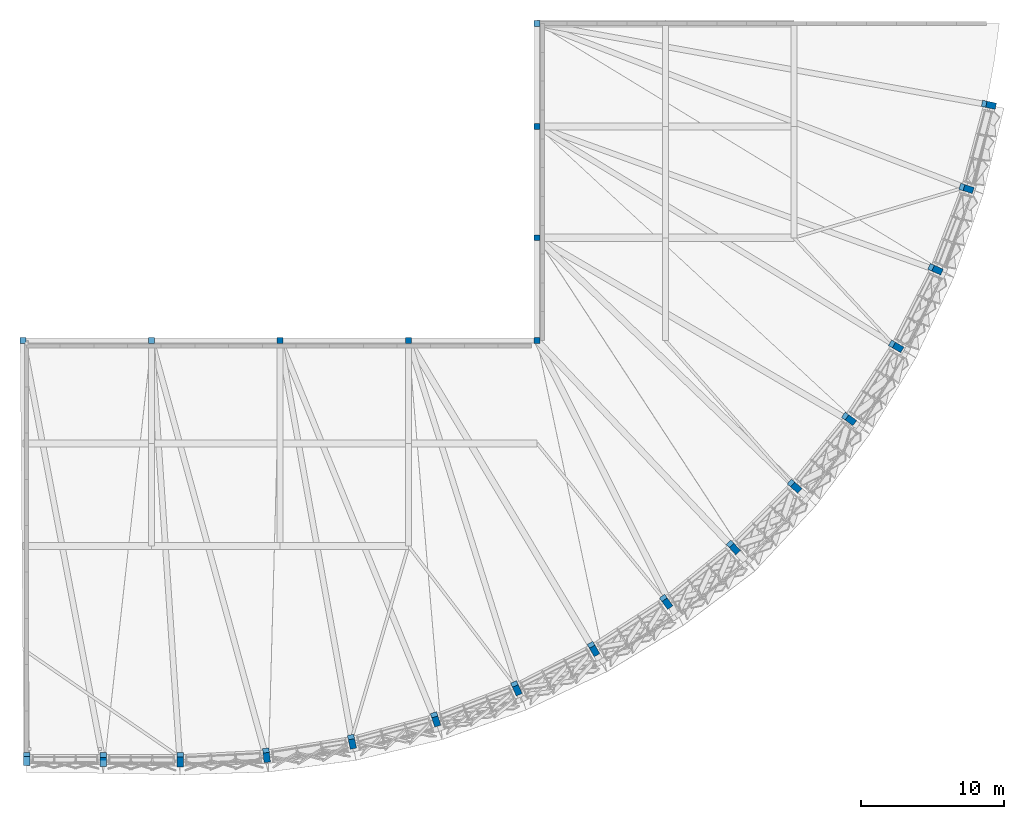
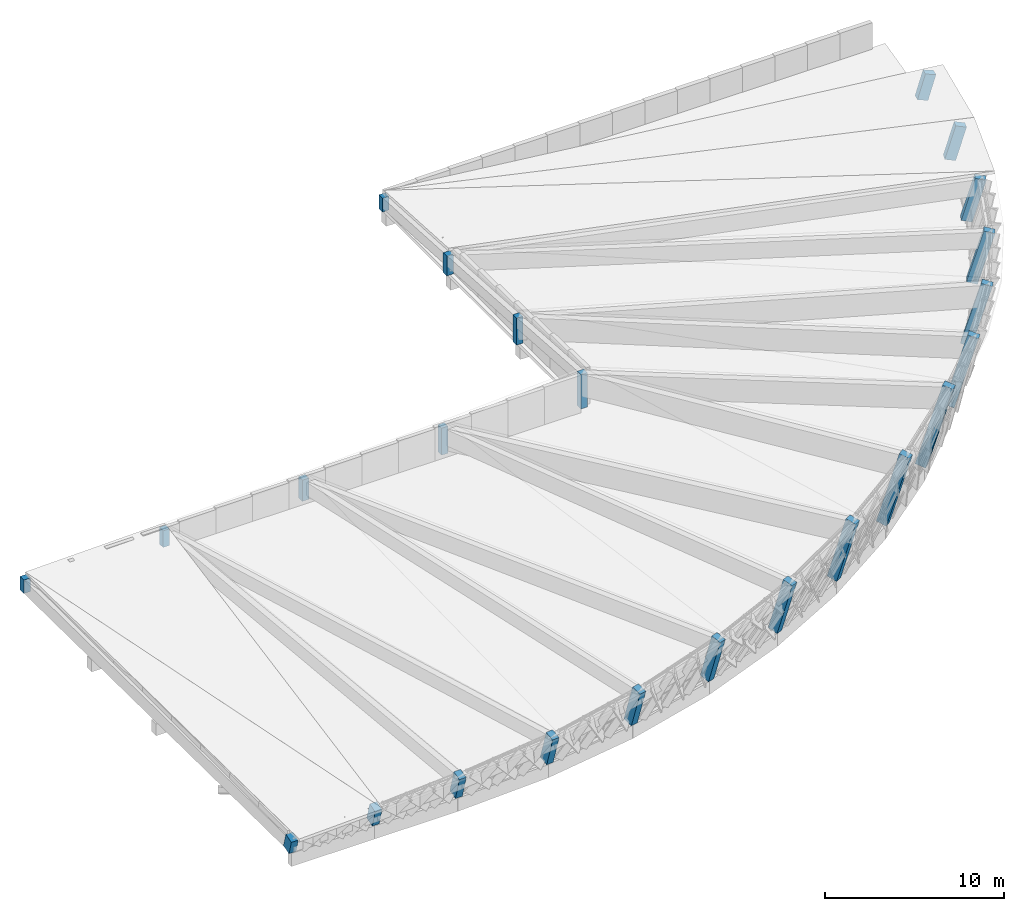
# One storey, part 1 of 11: 24 columns.
"""IFC4 building model written with IfcOpenShell, lengths in metres."""

from ifc_helpers import new_model, si_unit, direction, frame, origin, origin_2d, place, context, subcontext, project, spatial, rectangle, extrude, material, material_profile, profile_set, type_object, element, save


model = new_model("IFC4")

# Units and contexts
model_context = context("Model", 3, precision=1e-05, world=origin(), true_north=direction((0.0, 1.0)))
body_context = subcontext(model_context, "Body", "Model", "MODEL_VIEW")
ifc_project = project(units=[si_unit("LENGTHUNIT", "METRE"), si_unit("AREAUNIT", "SQUARE_METRE"), si_unit("VOLUMEUNIT", "CUBIC_METRE"), si_unit("PLANEANGLEUNIT", "RADIAN"), si_unit("MASSUNIT", "GRAM", prefix="KILO")], contexts=[model_context])

# Site, building, storey
site_placement = place(None, origin())
site = spatial("IfcSite", under=ifc_project, at=site_placement, CompositionType="ELEMENT")
building_placement = place(site_placement, origin())
building = spatial("IfcBuilding", under=site, at=building_placement, Name="Chiffa Square Polytechnic", CompositionType="ELEMENT")
storey_placement = place(building_placement, frame((0.0, 0.0, 30.60009765625)))
storey = spatial("IfcBuildingStorey", under=building, at=storey_placement, Name="ROOF", CompositionType="ELEMENT", Elevation=30.60009765625)

# Columns
ifc_material = material(Name="Glulam GL32c", Category="wood")
ifc_material_profile_1 = material_profile(ifc_material, rectangle(XDim=0.419921875, YDim=0.419921875, at=origin_2d()), Name="GL32c 420x420")
ifc_profile_set_1 = profile_set([ifc_material_profile_1], Name="Glulam GL32c")
column_type_1 = type_object("IfcColumnType", Name="COL-GL-420", PredefinedType="COLUMN", material=ifc_profile_set_1)
column_1_placement = place(storey_placement, frame((112.199951171875, 28.800048828125, -0.75), z_axis=(0.0, 0.0, 1.0), x_axis=(1.0, 0.0, 0.0)))
element("IfcColumn", 1, at=column_1_placement, inside=storey, type_object=column_type_1, Name="Faculty courtyard roof spine post C-V1-ROOF-SP01", PredefinedType="COLUMN", context=body_context, shape_type="SweptSolid", body=[
    extrude(rectangle(XDim=0.419921875, YDim=0.419921875, at=origin_2d()), origin(), (0.0, 0.0, 1.0), 0.9248046875),
])
column_2_placement = place(storey_placement, frame((121.199951171875, 28.800048828125, -0.75), z_axis=(0.0, 0.0, 1.0), x_axis=(1.0, 0.0, 0.0)))
element("IfcColumn", 2, at=column_2_placement, inside=storey, type_object=column_type_1, Name="Faculty courtyard roof spine post C-V1-ROOF-SP02", PredefinedType="COLUMN", context=body_context, shape_type="SweptSolid", body=[
    extrude(rectangle(XDim=0.419921875, YDim=0.419921875, at=origin_2d()), origin(), (0.0, 0.0, 1.0), 1.139892578125),
])
column_3_placement = place(storey_placement, frame((130.199951171875, 28.800048828125, -0.75), z_axis=(0.0, 0.0, 1.0), x_axis=(1.0, 0.0, 0.0)))
element("IfcColumn", 3, at=column_3_placement, inside=storey, type_object=column_type_1, Name="Faculty courtyard roof spine post C-V1-ROOF-SP03", PredefinedType="COLUMN", context=body_context, shape_type="SweptSolid", body=[
    extrude(rectangle(XDim=0.419921875, YDim=0.419921875, at=origin_2d()), origin(), (0.0, 0.0, 1.0), 1.43994140625),
])
column_4_placement = place(storey_placement, frame((139.199951171875, 28.800048828125, -0.75), z_axis=(0.0, 0.0, 1.0), x_axis=(1.0, 0.0, 0.0)))
element("IfcColumn", 4, at=column_4_placement, inside=storey, type_object=column_type_1, Name="Faculty courtyard roof spine post C-V1-ROOF-SP04", PredefinedType="COLUMN", context=body_context, shape_type="SweptSolid", body=[
    extrude(rectangle(XDim=0.419921875, YDim=0.419921875, at=origin_2d()), origin(), (0.0, 0.0, 1.0), 1.83984375),
])
column_5_placement = place(storey_placement, frame((148.199951171875, 28.800048828125, -0.75), z_axis=(0.0, 0.0, 1.0), x_axis=(1.0, 0.0, 0.0)))
element("IfcColumn", 5, at=column_5_placement, inside=storey, type_object=column_type_1, Name="Faculty courtyard roof spine post C-V1-ROOF-SP05", PredefinedType="COLUMN", context=body_context, shape_type="SweptSolid", body=[
    extrude(rectangle(XDim=0.419921875, YDim=0.419921875, at=origin_2d()), origin(), (0.0, 0.0, 1.0), 2.33984375),
])
column_6_placement = place(storey_placement, frame((148.199951171875, 36.0, -0.75), z_axis=(0.0, 0.0, 1.0), x_axis=(1.0, 0.0, 0.0)))
element("IfcColumn", 6, at=column_6_placement, inside=storey, type_object=column_type_1, Name="Faculty courtyard roof spine post C-V1-ROOF-SP06", PredefinedType="COLUMN", context=body_context, shape_type="SweptSolid", body=[
    extrude(rectangle(XDim=0.419921875, YDim=0.419921875, at=origin_2d()), origin(), (0.0, 0.0, 1.0), 1.83984375),
])
column_7_placement = place(storey_placement, frame((148.199951171875, 43.800048828125, -0.75), z_axis=(0.0, 0.0, 1.0), x_axis=(1.0, 0.0, 0.0)))
element("IfcColumn", 7, at=column_7_placement, inside=storey, type_object=column_type_1, Name="Faculty courtyard roof spine post C-V1-ROOF-SP07", PredefinedType="COLUMN", context=body_context, shape_type="SweptSolid", body=[
    extrude(rectangle(XDim=0.419921875, YDim=0.419921875, at=origin_2d()), origin(), (0.0, 0.0, 1.0), 1.33984375),
])
column_8_placement = place(storey_placement, frame((148.199951171875, 51.0, -0.75), z_axis=(0.0, 0.0, 1.0), x_axis=(1.0, 0.0, 0.0)))
element("IfcColumn", 8, at=column_8_placement, inside=storey, type_object=column_type_1, Name="Faculty courtyard roof spine post C-V1-ROOF-SP08", PredefinedType="COLUMN", context=body_context, shape_type="SweptSolid", body=[
    extrude(rectangle(XDim=0.419921875, YDim=0.419921875, at=origin_2d()), origin(), (0.0, 0.0, 1.0), 0.9248046875),
])
ifc_material_profile_2 = material_profile(ifc_material, rectangle(XDim=0.449951171875, YDim=0.64990234375, at=origin_2d()), Name="GL32c 450x650")
ifc_profile_set_2 = profile_set([ifc_material_profile_2], Name="Glulam GL32c")
column_type_2 = type_object("IfcColumnType", Name="COL-RAKED-GL650", PredefinedType="USERDEFINED", material=ifc_profile_set_2)
column_9_placement = place(storey_placement, frame((112.449951171875, -0.3798828125, -0.75), z_axis=(0.0, -0.272774979581, 0.962077860942), x_axis=(1.0, 0.0, 0.0)))
element("IfcColumn", 9, at=column_9_placement, inside=storey, type_object=column_type_2, Name="Swept prow roof glulam column CRK-V1-ROOF-01", ObjectType="RAKED COLUMN", PredefinedType="USERDEFINED", context=body_context, shape_type="SweptSolid", body=[
    extrude(rectangle(XDim=0.449951171875, YDim=0.64990234375, at=origin_2d()), origin(), (0.0, 0.0, 1.0), 0.961181640625),
])
column_10_placement = place(storey_placement, frame((117.824951171875, -0.3798828125, -0.75), z_axis=(0.0, -0.272602572456, 0.962126726315), x_axis=(1.0, 0.0, 0.0)))
element("IfcColumn", 10, at=column_10_placement, inside=storey, type_object=column_type_2, Name="Swept prow roof glulam column CRK-V1-ROOF-02", ObjectType="RAKED COLUMN", PredefinedType="USERDEFINED", context=body_context, shape_type="SweptSolid", body=[
    extrude(rectangle(XDim=0.449951171875, YDim=0.64990234375, at=origin_2d()), origin(), (0.0, 0.0, 1.0), 1.218017578125),
])
column_11_placement = place(storey_placement, frame((123.199951171875, -0.3798828125, -0.75), z_axis=(0.0, -0.272385802616, 0.962188118059), x_axis=(1.0, 0.0, 0.0)))
element("IfcColumn", 11, at=column_11_placement, inside=storey, type_object=column_type_2, Name="Swept prow roof glulam column CRK-V1-ROOF-03", ObjectType="RAKED COLUMN", PredefinedType="USERDEFINED", context=body_context, shape_type="SweptSolid", body=[
    extrude(rectangle(XDim=0.449951171875, YDim=0.64990234375, at=origin_2d()), origin(), (0.0, 0.0, 1.0), 1.615966796875),
])
column_12_placement = place(storey_placement, frame((129.23388671875, -0.06396484375, -0.75), z_axis=(0.028693467185, -0.270954976714, 0.962164271595), x_axis=(0.99443957852, 0.105308711285, 0.0)))
element("IfcColumn", 12, at=column_12_placement, inside=storey, type_object=column_type_2, Name="Swept prow roof glulam column CRK-V1-ROOF-04", ObjectType="RAKED COLUMN", PredefinedType="USERDEFINED", context=body_context, shape_type="SweptSolid", body=[
    extrude(rectangle(XDim=0.449951171875, YDim=0.64990234375, at=origin_2d()), origin(), (0.0, 0.0, 1.0), 2.093017578125),
])
column_13_placement = place(storey_placement, frame((135.201904296875, 0.881103515625, -0.75), z_axis=(0.056706369698, -0.266547780315, 0.962152102552), x_axis=(0.978110353636, 0.208086847518, 0.0)))
element("IfcColumn", 13, at=column_13_placement, inside=storey, type_object=column_type_2, Name="Swept prow roof glulam column CRK-V1-ROOF-05", ObjectType="RAKED COLUMN", PredefinedType="USERDEFINED", context=body_context, shape_type="SweptSolid", body=[
    extrude(rectangle(XDim=0.449951171875, YDim=0.64990234375, at=origin_2d()), origin(), (0.0, 0.0, 1.0), 2.630615234375),
])
column_14_placement = place(storey_placement, frame((141.0400390625, 2.445068359375, -0.75), z_axis=(0.083924603413, -0.258906642717, 0.962249453779), x_axis=(0.951271454613, 0.308354697773, 0.0)))
element("IfcColumn", 14, at=column_14_placement, inside=storey, type_object=column_type_2, Name="Swept prow roof glulam column CRK-V1-ROOF-06", ObjectType="RAKED COLUMN", PredefinedType="USERDEFINED", context=body_context, shape_type="SweptSolid", body=[
    extrude(rectangle(XDim=0.449951171875, YDim=0.64990234375, at=origin_2d()), origin(), (0.0, 0.0, 1.0), 3.21728515625),
])
column_15_placement = place(storey_placement, frame((146.680908203125, 4.611083984375, -0.75), z_axis=(0.11073440875, -0.248755806475, 0.962215381016), x_axis=(0.91357112701, 0.406678983835, 0.0)))
element("IfcColumn", 15, at=column_15_placement, inside=storey, type_object=column_type_2, Name="Swept prow roof glulam column CRK-V1-ROOF-07", ObjectType="RAKED COLUMN", PredefinedType="USERDEFINED", context=body_context, shape_type="SweptSolid", body=[
    extrude(rectangle(XDim=0.449951171875, YDim=0.64990234375, at=origin_2d()), origin(), (0.0, 0.0, 1.0), 3.84716796875),
])
column_16_placement = place(storey_placement, frame((152.06494140625, 7.35498046875, -0.75), z_axis=(0.13621923814, -0.235882618803, 0.962186940936), x_axis=(0.86597398154, 0.500089055364, 0.0)))
element("IfcColumn", 16, at=column_16_placement, inside=storey, type_object=column_type_2, Name="Swept prow roof glulam column CRK-V1-ROOF-08", ObjectType="RAKED COLUMN", PredefinedType="USERDEFINED", context=body_context, shape_type="SweptSolid", body=[
    extrude(rectangle(XDim=0.449951171875, YDim=0.64990234375, at=origin_2d()), origin(), (0.0, 0.0, 1.0), 4.5146484375),
])
column_17_placement = place(storey_placement, frame((157.133056640625, 10.64501953125, -0.75), z_axis=(0.160080173924, -0.220274063885, 0.962212905077), x_axis=(0.808944167612, 0.587885476675, 0.0)))
element("IfcColumn", 17, at=column_17_placement, inside=storey, type_object=column_type_2, Name="Swept prow roof glulam column CRK-V1-ROOF-09", ObjectType="RAKED COLUMN", PredefinedType="USERDEFINED", context=body_context, shape_type="SweptSolid", body=[
    extrude(rectangle(XDim=0.449951171875, YDim=0.64990234375, at=origin_2d()), origin(), (0.0, 0.0, 1.0), 5.2158203125),
])
column_18_placement = place(storey_placement, frame((161.8291015625, 14.447998046875, -0.75), z_axis=(0.182191690376, -0.20238049931, 0.96221012334), x_axis=(0.743204224919, 0.669064630706, 0.0)))
element("IfcColumn", 18, at=column_18_placement, inside=storey, type_object=column_type_2, Name="Swept prow roof glulam column CRK-V1-ROOF-10", ObjectType="RAKED COLUMN", PredefinedType="USERDEFINED", context=body_context, shape_type="SweptSolid", body=[
    extrude(rectangle(XDim=0.449951171875, YDim=0.64990234375, at=origin_2d()), origin(), (0.0, 0.0, 1.0), 5.94970703125),
])
column_19_placement = place(storey_placement, frame((166.10205078125, 18.720947265625, -0.75), z_axis=(0.202441505375, -0.182154494956, 0.962204332181), x_axis=(0.668877775108, 0.743372397905, 0.0)))
element("IfcColumn", 19, at=column_19_placement, inside=storey, type_object=column_type_2, Name="Swept prow roof glulam column CRK-V1-ROOF-11", ObjectType="RAKED COLUMN", PredefinedType="USERDEFINED", context=body_context, shape_type="SweptSolid", body=[
    extrude(rectangle(XDim=0.449951171875, YDim=0.64990234375, at=origin_2d()), origin(), (0.0, 0.0, 1.0), 5.126708984375),
])
column_20_placement = place(storey_placement, frame((169.905029296875, 23.4169921875, -0.75), z_axis=(0.220308017871, -0.160004318082, 0.962217748463), x_axis=(0.587643837166, 0.809119719597, 0.0)))
element("IfcColumn", 20, at=column_20_placement, inside=storey, type_object=column_type_2, Name="Swept prow roof glulam column CRK-V1-ROOF-12", ObjectType="RAKED COLUMN", PredefinedType="USERDEFINED", context=body_context, shape_type="SweptSolid", body=[
    extrude(rectangle(XDim=0.449951171875, YDim=0.64990234375, at=origin_2d()), origin(), (0.0, 0.0, 1.0), 4.343994140625),
])
column_21_placement = place(storey_placement, frame((173.195068359375, 28.485107421875, -0.75), z_axis=(0.2359243051, -0.136206514164, 0.962178521774), x_axis=(0.499987757185, 0.866032472062, 0.0)))
element("IfcColumn", 21, at=column_21_placement, inside=storey, type_object=column_type_2, Name="Swept prow roof glulam column CRK-V1-ROOF-13", ObjectType="RAKED COLUMN", PredefinedType="USERDEFINED", context=body_context, shape_type="SweptSolid", body=[
    extrude(rectangle(XDim=0.449951171875, YDim=0.64990234375, at=origin_2d()), origin(), (0.0, 0.0, 1.0), 3.6064453125),
])
column_22_placement = place(storey_placement, frame((175.93896484375, 33.868896484375, -0.75), z_axis=(0.248813231943, -0.110685913201, 0.962206113174), x_axis=(0.406451996529, 0.913672137322, 0.0)))
element("IfcColumn", 22, at=column_22_placement, inside=storey, type_object=column_type_2, Name="Swept prow roof glulam column CRK-V1-ROOF-14", ObjectType="RAKED COLUMN", PredefinedType="USERDEFINED", context=body_context, shape_type="SweptSolid", body=[
    extrude(rectangle(XDim=0.449951171875, YDim=0.64990234375, at=origin_2d()), origin(), (0.0, 0.0, 1.0), 2.918212890625),
])
column_23_placement = place(storey_placement, frame((178.10498046875, 39.510009765625, -0.75), z_axis=(0.258740043144, -0.083863783056, 0.962299566645), x_axis=(0.308332017193, 0.951278806225, 0.0)))
element("IfcColumn", 23, at=column_23_placement, inside=storey, type_object=column_type_2, Name="Swept prow roof glulam column CRK-V1-ROOF-15", ObjectType="RAKED COLUMN", PredefinedType="USERDEFINED", context=body_context, shape_type="SweptSolid", body=[
    extrude(rectangle(XDim=0.449951171875, YDim=0.64990234375, at=origin_2d()), origin(), (0.0, 0.0, 1.0), 2.2880859375),
])
column_24_placement = place(storey_placement, frame((179.6689453125, 45.347900390625, -0.75), z_axis=(0.266551911073, -0.056614044672, 0.962156395109), x_axis=(0.207759610961, 0.978179913949, 0.0)))
element("IfcColumn", 24, at=column_24_placement, inside=storey, type_object=column_type_2, Name="Swept prow roof glulam column CRK-V1-ROOF-16", ObjectType="RAKED COLUMN", PredefinedType="USERDEFINED", context=body_context, shape_type="SweptSolid", body=[
    extrude(rectangle(XDim=0.449951171875, YDim=0.64990234375, at=origin_2d()), origin(), (0.0, 0.0, 1.0), 1.729248046875),
])

save(model, "model.ifc")
